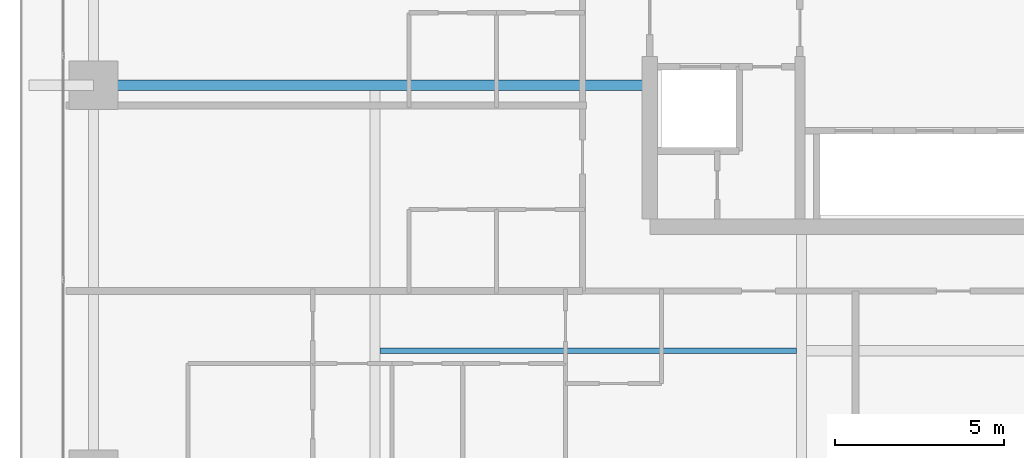
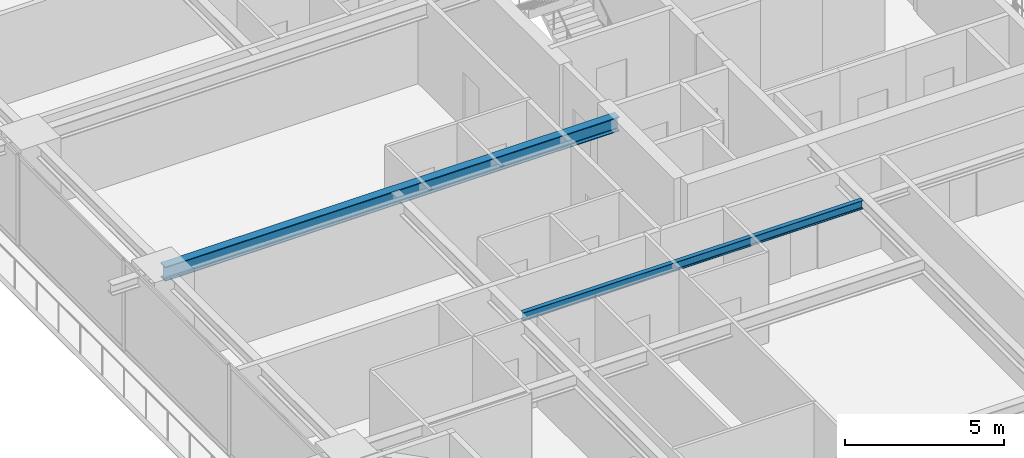
# One storey, part 8 of 39: 2 beams.
"""IFC4 building model written with IfcOpenShell, lengths in metres."""

from ifc_helpers import new_model, si_unit, direction, frame, origin, origin_2d, place, context, subcontext, project, spatial, i_section, extrude, source, transform, mapped, material, material_profile, profile_set, type_object, element, save


model = new_model("IFC4")

# Units and contexts
model_context = context("Model", 3, precision=1e-05, world=origin(), true_north=direction((0.0, 1.0)))
body_context = subcontext(model_context, "Body", "Model", "MODEL_VIEW")
ifc_project = project(units=[si_unit("LENGTHUNIT", "METRE"), si_unit("AREAUNIT", "SQUARE_METRE"), si_unit("VOLUMEUNIT", "CUBIC_METRE"), si_unit("PLANEANGLEUNIT", "RADIAN"), si_unit("MASSUNIT", "GRAM", prefix="KILO")], contexts=[model_context])

# Site, building, storey
site_placement = place(None, origin())
site = spatial("IfcSite", under=ifc_project, at=site_placement, CompositionType="ELEMENT")
building_placement = place(site_placement, origin())
building = spatial("IfcBuilding", under=site, at=building_placement, Name="Serunith Strait Residences", CompositionType="ELEMENT")
storey_placement = place(building_placement, frame((0.0, 0.0, 79.199951171875)))
storey = spatial("IfcBuildingStorey", under=building, at=storey_placement, Name="L19", CompositionType="ELEMENT", Elevation=79.199951171875)

# Beams
ifc_material = material(Name="Steel S355J2", Category="steel")
ifc_material_profile_1 = material_profile(ifc_material, i_section(OverallWidth=0.300048828125, OverallDepth=0.550048828125, WebThickness=0.014892578125, FlangeThickness=0.029052734375, FilletRadius=0.027099609375, at=origin_2d()), Name="HEB 550")
ifc_profile_set_1 = profile_set([ifc_material_profile_1], Name="Steel S355J2")
beam_type_1 = type_object("IfcBeamType", Name="BM-HEB550", PredefinedType="BEAM", material=ifc_profile_set_1)
shared_shape_1 = source(origin(), body_context, "Body", "SweptSolid", [
    extrude(i_section(OverallWidth=0.300048828125, OverallDepth=0.550048828125, WebThickness=0.014892578125, FlangeThickness=0.029052734375, FilletRadius=0.027099609375, at=origin_2d()), origin(), (0.0, 0.0, 1.0), 16.5),
])
beam_1_placement = place(storey_placement, frame((23.39990234375, 21.0, 3.212158203125), z_axis=(-1.0, 0.0, 0.0), x_axis=(0.0, -1.0, 0.0)))
element("IfcBeam", 1, at=beam_1_placement, inside=storey, type_object=beam_type_1, Name="L19 Primary Floor Girder TC-W2", PredefinedType="BEAM", context=body_context, shape_type="MappedRepresentation", body=[
    mapped(shared_shape_1, transform((0.0, 0.0, 0.0), scale=1.0)),
])
ifc_material_profile_2 = material_profile(ifc_material, i_section(OverallWidth=0.159912109375, OverallDepth=0.330078125, WebThickness=0.007568359375, FlangeThickness=0.011474609375, FilletRadius=0.01806640625, at=origin_2d()), Name="IPE 330")
ifc_profile_set_2 = profile_set([ifc_material_profile_2], Name="Steel S355J2")
beam_type_2 = type_object("IfcBeamType", Name="BM-IPE330", PredefinedType="JOIST", material=ifc_profile_set_2)
shared_shape_2 = source(origin(), body_context, "Body", "SweptSolid", [
    extrude(i_section(OverallWidth=0.159912109375, OverallDepth=0.330078125, WebThickness=0.007568359375, FlangeThickness=0.011474609375, FilletRadius=0.01806640625, at=origin_2d()), origin(), (0.0, 0.0, 1.0), 12.35009765625),
])
beam_2_placement = place(storey_placement, frame((15.39990234375, 13.125, 3.322021484375), z_axis=(1.0, 0.0, 0.0), x_axis=(0.0, 1.0, 0.0)))
element("IfcBeam", 2, at=beam_2_placement, inside=storey, type_object=beam_type_2, Name="L19 Composite Floor Joist 01", PredefinedType="JOIST", context=body_context, shape_type="MappedRepresentation", body=[
    mapped(shared_shape_2, transform((0.0, 0.0, 0.0), scale=1.0)),
])

save(model, "model.ifc")
